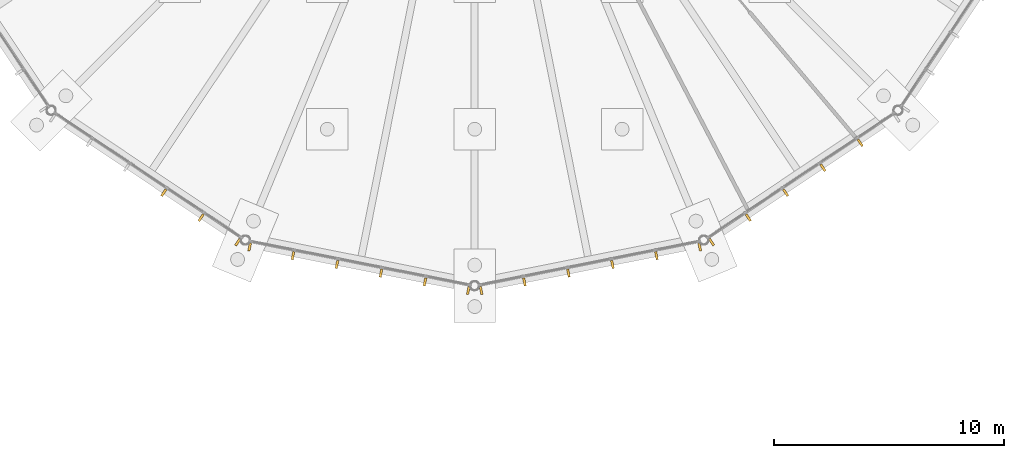
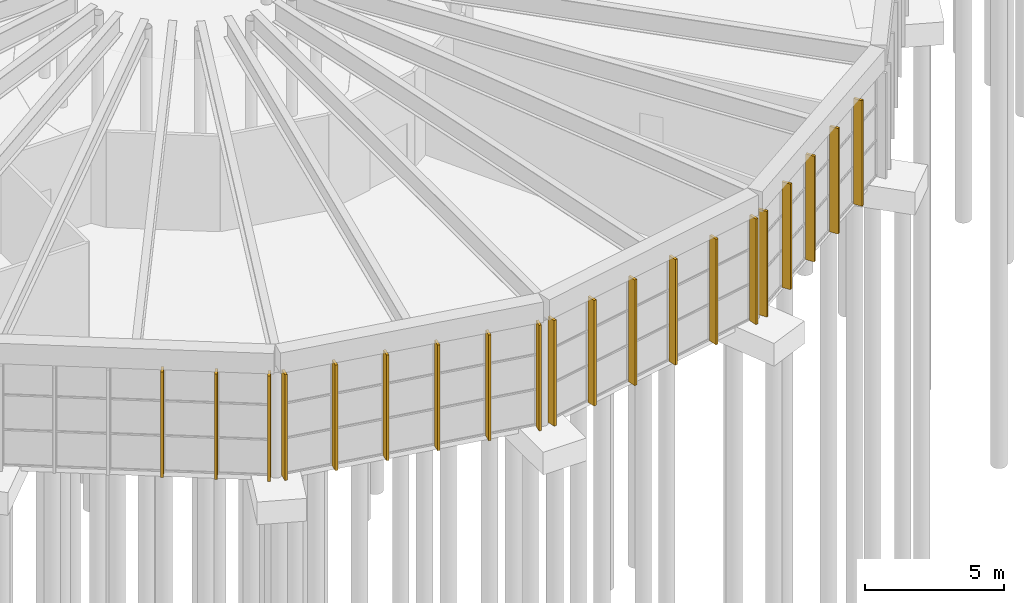
# One storey, part 216 of 226: 20 coverings.
"""IFC4 building model written with IfcOpenShell, lengths in metres."""

from ifc_helpers import new_model, si_unit, direction, frame, origin, origin_2d, place, context, subcontext, project, spatial, rectangle, extrude, material, layer, layer_set, type_object, element, save


model = new_model("IFC4")

# Units and contexts
model_context = context("Model", 3, precision=1e-05, world=origin(), true_north=direction((0.0, 1.0)))
body_context = subcontext(model_context, "Body", "Model", "MODEL_VIEW")
ifc_project = project(units=[si_unit("LENGTHUNIT", "METRE"), si_unit("AREAUNIT", "SQUARE_METRE"), si_unit("VOLUMEUNIT", "CUBIC_METRE"), si_unit("PLANEANGLEUNIT", "RADIAN"), si_unit("MASSUNIT", "GRAM", prefix="KILO")], contexts=[model_context])

# Site, building, storey
site_placement = place(None, origin())
site = spatial("IfcSite", under=ifc_project, at=site_placement, CompositionType="ELEMENT")
building_placement = place(site_placement, origin())
building = spatial("IfcBuilding", under=site, at=building_placement, Name="Ceibo Conservatory and Research Tower", CompositionType="ELEMENT")
storey_placement = place(building_placement, origin())
storey = spatial("IfcBuildingStorey", under=building, at=storey_placement, Name="L00", CompositionType="ELEMENT", Elevation=0.0)

# Coverings
ifc_material = material(Name="Ceramic")
ifc_layer = layer(ifc_material, 0.10009765625)
ifc_layer_set = layer_set([ifc_layer], Name="Ceramic")
covering_type = type_object("IfcCoveringType", Name="Ceramic fin 100 x 350", PredefinedType="CLADDING", material=ifc_layer_set)
for number, where, z_axis, x_axis, name in (
    (1, (154.500732421875, 14.044189453125, 0.0), (0.0, 0.0, 1.0), (-0.831469835323, 0.555569899246, 0.0), "Ceramic fin 11.22"),
    (2, (156.1201171875, 12.962158203125, 0.0), (0.0, 0.0, 1.0), (-0.831469835323, 0.555569899246, 0.0), "Ceramic fin 11.23"),
    (3, (157.714599609375, 11.896728515625, 0.0), (0.0, 0.0, 1.0), (-0.831469835323, 0.555569899246, 0.0), "Ceramic fin 11.24"),
    (4, (158.229248046875, 11.68359375, 0.0), (0.0, 0.0, 1.0), (-0.980785331478, 0.195090065247, 0.0), "Ceramic fin 12.25"),
    (5, (160.110107421875, 11.309326171875, 0.0), (0.0, 0.0, 1.0), (-0.980785331478, 0.195090065247, 0.0), "Ceramic fin 12.26"),
    (6, (162.020263671875, 10.929443359375, 0.0), (0.0, 0.0, 1.0), (-0.980785331478, 0.195090065247, 0.0), "Ceramic fin 12.27"),
    (7, (163.930419921875, 10.549560546875, 0.0), (0.0, 0.0, 1.0), (-0.980785331478, 0.195090065247, 0.0), "Ceramic fin 12.28"),
    (8, (165.8408203125, 10.16943359375, 0.0), (0.0, 0.0, 1.0), (-0.980785331478, 0.195090065247, 0.0), "Ceramic fin 12.29"),
    (9, (167.721435546875, 9.79541015625, 0.0), (0.0, 0.0, 1.0), (-0.980785331478, 0.195090065247, 0.0), "Ceramic fin 12.30"),
    (10, (168.278564453125, 9.79541015625, 0.0), (0.0, 0.0, 1.0), (-0.980785331478, -0.195090065247, 0.0), "Ceramic fin 13.31"),
    (11, (170.1591796875, 10.16943359375, 0.0), (0.0, 0.0, 1.0), (-0.980785331478, -0.195090065247, 0.0), "Ceramic fin 13.32"),
    (12, (172.069580078125, 10.549560546875, 0.0), (0.0, 0.0, 1.0), (-0.980785331478, -0.195090065247, 0.0), "Ceramic fin 13.33"),
    (13, (173.979736328125, 10.929443359375, 0.0), (0.0, 0.0, 1.0), (-0.980785331478, -0.195090065247, 0.0), "Ceramic fin 13.34"),
    (14, (175.889892578125, 11.309326171875, 0.0), (0.0, 0.0, 1.0), (-0.980785331478, -0.195090065247, 0.0), "Ceramic fin 13.35"),
    (15, (177.770751953125, 11.68359375, 0.0), (0.0, 0.0, 1.0), (-0.980785331478, -0.195090065247, 0.0), "Ceramic fin 13.36"),
    (16, (178.285400390625, 11.896728515625, 0.0), (0.0, 0.0, 1.0), (-0.831469835323, -0.555569899246, 0.0), "Ceramic fin 14.37"),
    (17, (179.8798828125, 12.962158203125, 0.0), (0.0, 0.0, 1.0), (-0.831469835323, -0.555569899246, 0.0), "Ceramic fin 14.38"),
    (18, (181.499267578125, 14.044189453125, 0.0), (0.0, 0.0, 1.0), (-0.831469835323, -0.555569899246, 0.0), "Ceramic fin 14.39"),
    (19, (183.11865234375, 15.126220703125, 0.0), (0.0, 0.0, 1.0), (-0.831469835323, -0.555569899246, 0.0), "Ceramic fin 14.40"),
    (20, (184.738037109375, 16.208251953125, 0.0), (0.0, 0.0, 1.0), (-0.831469835323, -0.555569899246, 0.0), "Ceramic fin 14.41"),
):
    element("IfcCovering", number, at=place(storey_placement, frame(where, z_axis=z_axis, x_axis=x_axis)), inside=storey, type_object=covering_type, Name=name, PredefinedType="CLADDING", context=body_context, shape_type="SweptSolid", body=[
        extrude(rectangle(XDim=0.10009765625, YDim=0.35009765625, at=origin_2d()), origin(), (0.0, 0.0, 1.0), 4.64892578125),
    ])

save(model, "model.ifc")
